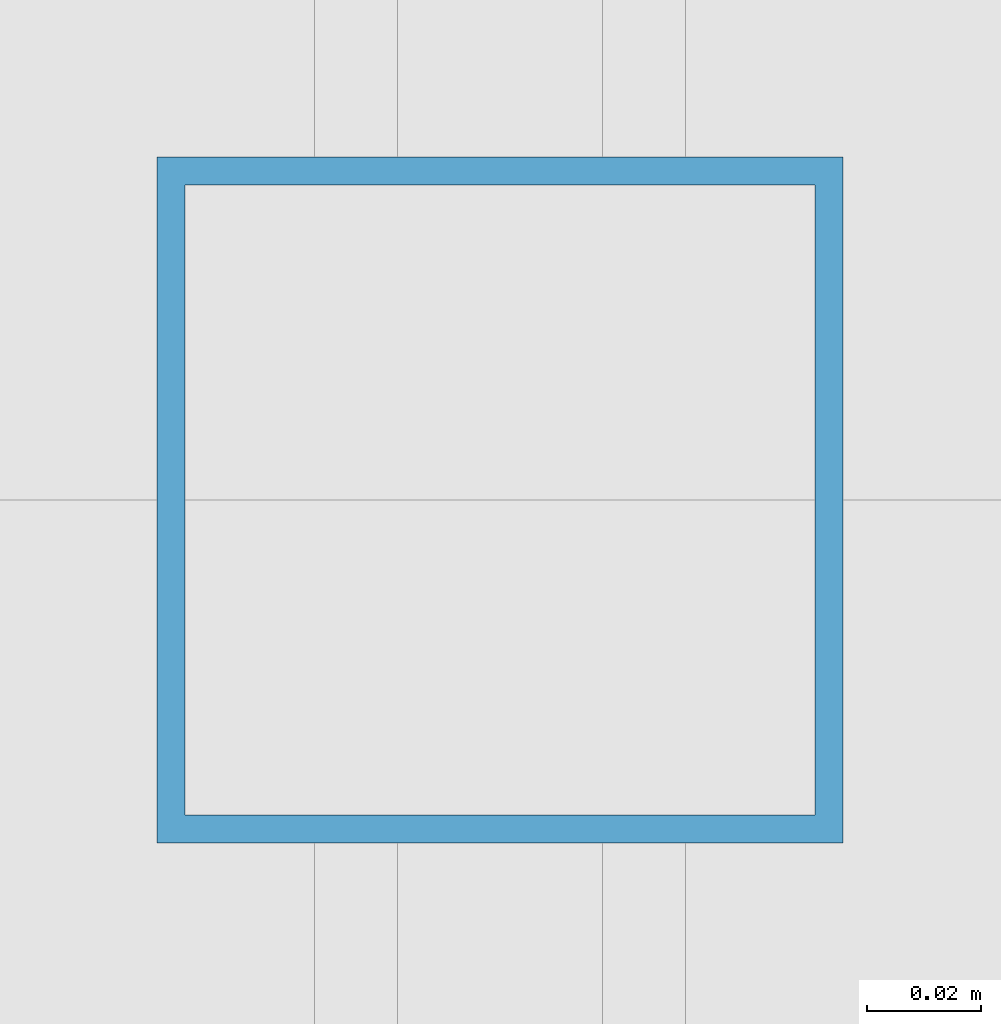
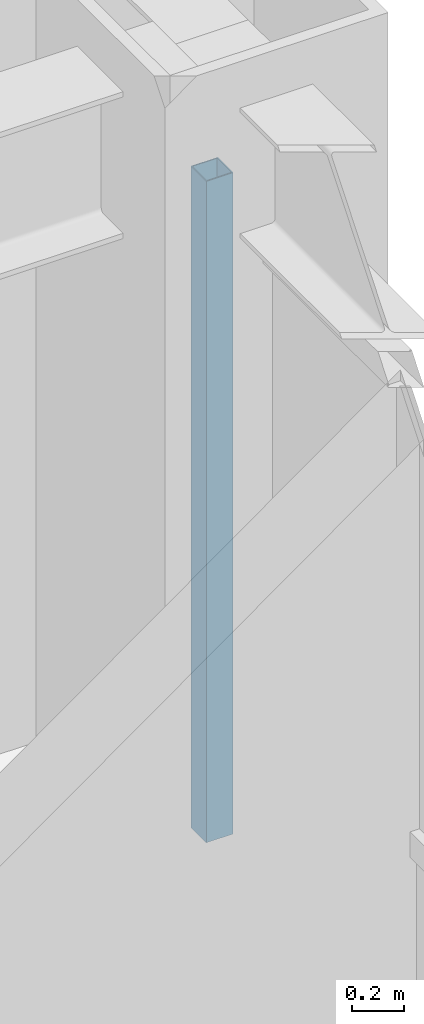
# One storey, part 10 of 29: 1 member, 1 element without a shape of its own.
"""IFC4 building model written with IfcOpenShell, lengths in metres."""

from ifc_helpers import new_model, si_unit, direction, frame, origin, origin_2d, place, context, subcontext, project, spatial, hollow_rectangle, extrude, source, transform, mapped, material, material_profile, profile_set, type_object, element, aggregate, save


model = new_model("IFC4")

# Units and contexts
model_context = context("Model", 3, precision=1e-05, world=origin(), true_north=direction((0.0, 1.0)))
body_context = subcontext(model_context, "Body", "Model", "MODEL_VIEW")
ifc_project = project(units=[si_unit("LENGTHUNIT", "METRE"), si_unit("AREAUNIT", "SQUARE_METRE"), si_unit("VOLUMEUNIT", "CUBIC_METRE"), si_unit("PLANEANGLEUNIT", "RADIAN"), si_unit("MASSUNIT", "GRAM", prefix="KILO")], contexts=[model_context])

# Site, building, storey
site_placement = place(None, origin())
site = spatial("IfcSite", under=ifc_project, at=site_placement, CompositionType="ELEMENT")
building_placement = place(site_placement, origin())
building = spatial("IfcBuilding", under=site, at=building_placement, Name="Khorayat Bourse Tower", CompositionType="ELEMENT")
storey_placement = place(building_placement, frame((0.0, 0.0, 235.10009765625)))
storey = spatial("IfcBuildingStorey", under=building, at=storey_placement, Name="L55", CompositionType="ELEMENT", Elevation=235.10009765625)

# Curtain wall, member
ifc_material = material(Name="Aluminium EN AW-6063 T6", Category="aluminium")
curtain_wall_type = type_object("IfcCurtainWallType", Name="CW-SYS-03", PredefinedType="NOTDEFINED", material=ifc_material)
curtain_wall_placement = place(storey_placement, origin())
curtain_wall = element("IfcCurtainWall", 1, at=curtain_wall_placement, inside=storey, type_object=curtain_wall_type, Name="L55 Curtain Wall CW-L55-E1", PredefinedType="NOTDEFINED")
ifc_material_profile = material_profile(ifc_material, hollow_rectangle(XDim=0.1201171875, YDim=0.1201171875, WallThickness=0.0048828125, at=origin_2d()), Name="ALU 120x120x5")
ifc_profile_set = profile_set([ifc_material_profile], Name="Aluminium EN AW-6063 T6")
member_type = type_object("IfcMemberType", Name="CWM-VERT-120", PredefinedType="MULLION", material=ifc_profile_set)
shared_shape = source(origin(), body_context, "Body", "SweptSolid", [
    extrude(hollow_rectangle(XDim=0.1201171875, YDim=0.1201171875, WallThickness=0.0048828125, at=origin_2d()), origin(), (0.0, 0.0, 1.0), 3.1298828125),
])
member_placement = place(storey_placement, frame((30.0, 0.0, 0.0), z_axis=(0.0, 0.0, 1.0), x_axis=(-1.0, 0.0, 0.0)))
member = element("IfcMember", 2, at=member_placement, type_object=member_type, Name="CW-L55-E1 Vertical Mullion 2", PredefinedType="MULLION", context=body_context, shape_type="MappedRepresentation", body=[
    mapped(shared_shape, transform((0.0, 0.0, 0.0), scale=1.0)),
])
aggregate(curtain_wall, [member])

save(model, "model.ifc")
